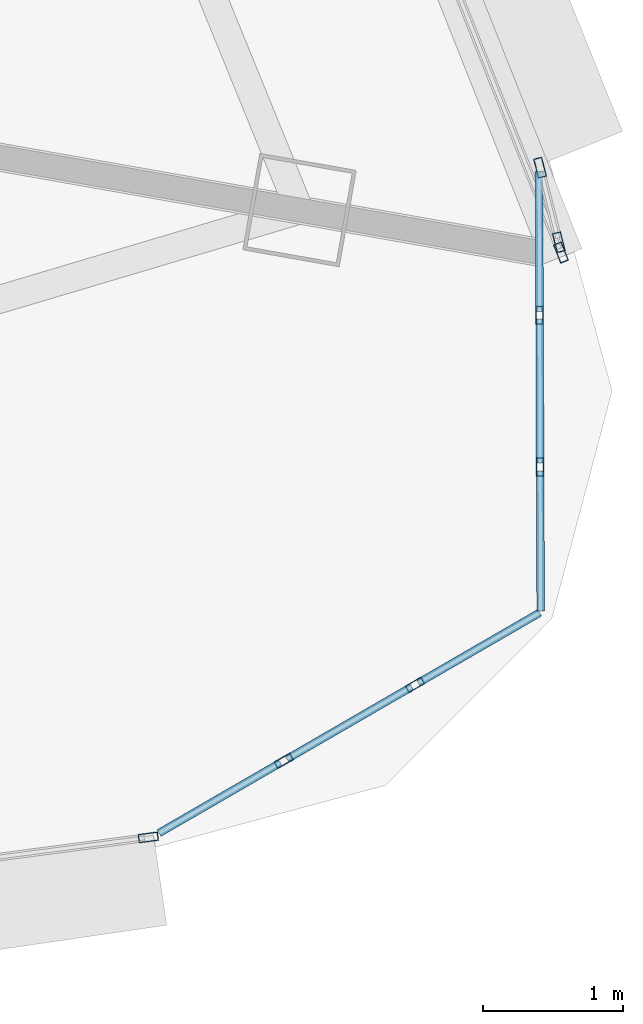
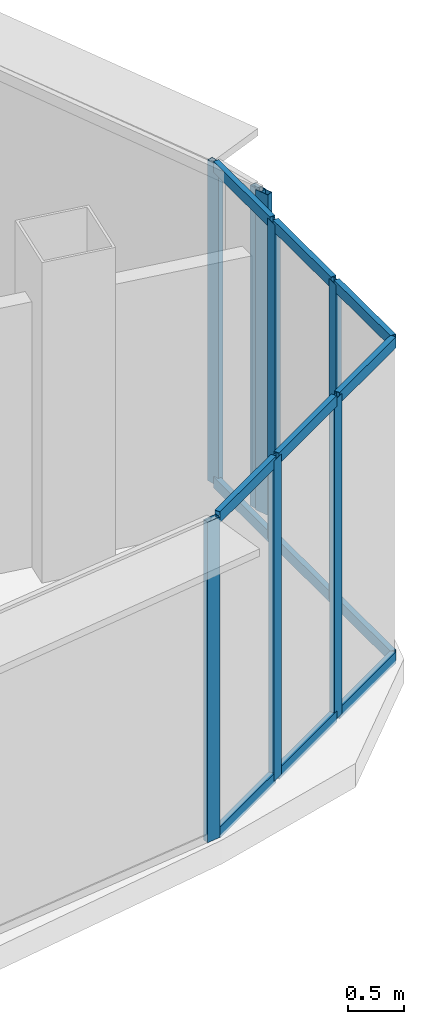
# One storey, part 12 of 29: 20 members, 5 elements without a shape of their own.
"""IFC4 building model written with IfcOpenShell, lengths in metres."""

from ifc_helpers import new_model, si_unit, direction, frame, origin, origin_2d, place, context, subcontext, project, spatial, hollow_rectangle, extrude, source, transform, mapped, material, layer, layer_set, material_profile, profile_set, type_object, element, aggregate, save


model = new_model("IFC4")

# Units and contexts
model_context = context("Model", 3, precision=1e-05, world=origin(), true_north=direction((0.0, 1.0)))
body_context = subcontext(model_context, "Body", "Model", "MODEL_VIEW")
ifc_project = project(units=[si_unit("LENGTHUNIT", "METRE"), si_unit("AREAUNIT", "SQUARE_METRE"), si_unit("VOLUMEUNIT", "CUBIC_METRE"), si_unit("PLANEANGLEUNIT", "RADIAN"), si_unit("MASSUNIT", "GRAM", prefix="KILO"), si_unit("THERMODYNAMICTEMPERATUREUNIT", "KELVIN"), si_unit("POWERUNIT", "WATT")], contexts=[model_context])

# Site, building, storey
site_placement = place(None, origin())
site = spatial("IfcSite", under=ifc_project, at=site_placement, CompositionType="ELEMENT")
building_placement = place(site_placement, origin())
building = spatial("IfcBuilding", under=site, at=building_placement, Name="Yunzhuo Pagoda Commons", CompositionType="ELEMENT")
storey_placement = place(building_placement, frame((0.0, 0.0, 359.260009765625)))
storey = spatial("IfcBuildingStorey", under=building, at=storey_placement, Name="L90", CompositionType="ELEMENT", Elevation=359.260009765625)

# Curtain wall, member
ifc_material = material(Name="Anodized aluminium 6063-T6", Category="aluminium")
ifc_layer_1 = layer(ifc_material, 0.139892578125)
ifc_layer_set_1 = layer_set([ifc_layer_1], Name="Anodized aluminium 6063-T6")
curtain_wall_type_1 = type_object("IfcCurtainWallType", Name="CW-HI High-Zone Ribbon Curtain Wall", PredefinedType="NOTDEFINED", material=ifc_layer_set_1)
curtain_wall_1_placement = place(storey_placement, origin())
curtain_wall_1 = element("IfcCurtainWall", 1, at=curtain_wall_1_placement, inside=storey, type_object=curtain_wall_type_1, Name="L90 curtain wall CW-L90-F1B5", PredefinedType="NOTDEFINED")
ifc_material_profile_1 = material_profile(ifc_material, hollow_rectangle(XDim=0.06005859375, YDim=0.139892578125, WallThickness=0.00341796875, at=origin_2d()), Name="Anodized aluminium 6063-T6")
ifc_profile_set_1 = profile_set([ifc_material_profile_1], Name="Anodized aluminium 6063-T6")
member_type_1 = type_object("IfcMemberType", Name="CW-HI-M Mullion RHS 140x60x3.5", PredefinedType="MULLION", material=ifc_profile_set_1)
shared_shape_1 = source(origin(), body_context, "Body", "SweptSolid", [
    extrude(hollow_rectangle(XDim=0.06005859375, YDim=0.139892578125, WallThickness=0.00341796875, at=origin_2d()), origin(), (0.0, 0.0, 1.0), 3.489990234375),
])
member_1_placement = place(storey_placement, frame((71.3896484375, 24.903076171875, 0.0), z_axis=(0.0, 0.0, 1.0), x_axis=(-0.130505551679, 0.991447578534, 0.0)))
member_1 = element("IfcMember", 2, at=member_1_placement, type_object=member_type_1, Name="CW mullion 2", PredefinedType="MULLION", context=body_context, shape_type="MappedRepresentation", body=[
    mapped(shared_shape_1, transform((0.0, 0.0, 0.0), scale=1.0)),
])
aggregate(curtain_wall_1, [member_1])

curtain_wall_2_placement = place(storey_placement, origin())
curtain_wall_2 = element("IfcCurtainWall", 3, at=curtain_wall_2_placement, inside=storey, type_object=curtain_wall_type_1, Name="L90 curtain wall CW-L90-F2B2", PredefinedType="NOTDEFINED")
member_2_placement = place(storey_placement, frame((74.337890625, 29.081787109375, 0.0), z_axis=(0.0, 0.0, 1.0), x_axis=(-0.929441197274, -0.368970270902, 0.0)))
member_2 = element("IfcMember", 4, at=member_2_placement, type_object=member_type_1, Name="CW mullion 1", PredefinedType="MULLION", context=body_context, shape_type="MappedRepresentation", body=[
    mapped(shared_shape_1, transform((0.0, 0.0, 0.0), scale=1.0)),
])
aggregate(curtain_wall_2, [member_2])

# Curtain wall, members
curtain_wall_3_placement = place(storey_placement, origin())
curtain_wall_3 = element("IfcCurtainWall", 5, at=curtain_wall_3_placement, inside=storey, type_object=curtain_wall_type_1, Name="L90 curtain wall CW-L90-F2B1", PredefinedType="NOTDEFINED")
member_3_placement = place(storey_placement, frame((74.188720703125, 29.6884765625, 0.0), z_axis=(0.0, 0.0, 1.0), x_axis=(0.969716189017, 0.244234544564, 0.0)))
member_3 = element("IfcMember", 6, at=member_3_placement, type_object=member_type_1, Name="CW mullion 1", PredefinedType="MULLION", context=body_context, shape_type="MappedRepresentation", body=[
    mapped(shared_shape_1, transform((0.0, 0.0, 0.0), scale=1.0)),
])
member_4_placement = place(storey_placement, frame((74.322998046875, 29.15576171875, 0.0), z_axis=(0.0, 0.0, 1.0), x_axis=(0.969716189017, 0.244234544564, 0.0)))
member_4 = element("IfcMember", 7, at=member_4_placement, type_object=member_type_1, Name="CW mullion 2", PredefinedType="MULLION", context=body_context, shape_type="MappedRepresentation", body=[
    mapped(shared_shape_1, transform((0.0, 0.0, 0.0), scale=1.0)),
])
aggregate(curtain_wall_3, [member_3, member_4])

ifc_layer_2 = layer(ifc_material, 0.1298828125)
ifc_layer_set_2 = layer_set([ifc_layer_2], Name="Anodized aluminium 6063-T6")
curtain_wall_type_2 = type_object("IfcCurtainWallType", Name="CW-VTX Rounded Corner Curtain Wall", PredefinedType="NOTDEFINED", material=ifc_layer_set_2)
curtain_wall_4_placement = place(storey_placement, origin())
curtain_wall_4 = element("IfcCurtainWall", 8, at=curtain_wall_4_placement, inside=storey, type_object=curtain_wall_type_2, Name="L90 curtain wall CW-L90-VTX2S1", PredefinedType="NOTDEFINED")
ifc_material_profile_2 = material_profile(ifc_material, hollow_rectangle(XDim=0.054931640625, YDim=0.1298828125, WallThickness=0.00341796875, at=origin_2d()), Name="Anodized aluminium 6063-T6")
ifc_profile_set_2 = profile_set([ifc_material_profile_2], Name="Anodized aluminium 6063-T6")
member_type_2 = type_object("IfcMemberType", Name="CW-VTX-M Mullion RHS 130x55x3.5", PredefinedType="MULLION", material=ifc_profile_set_2)
shared_shape_2 = source(origin(), body_context, "Body", "SweptSolid", [
    extrude(hollow_rectangle(XDim=0.054931640625, YDim=0.1298828125, WallThickness=0.00341796875, at=origin_2d()), origin(), (0.0, 0.0, 1.0), 3.489990234375),
])
member_5_placement = place(storey_placement, frame((72.357421875, 25.449951171875, 0.0), z_axis=(0.0, 0.0, 1.0), x_axis=(-0.501016871191, 0.865437516394, 0.0)))
member_5 = element("IfcMember", 9, at=member_5_placement, type_object=member_type_2, Name="CW mullion 2", PredefinedType="MULLION", context=body_context, shape_type="MappedRepresentation", body=[
    mapped(shared_shape_2, transform((0.0, 0.0, 0.0), scale=1.0)),
])
member_6_placement = place(storey_placement, frame((73.295166015625, 25.992919921875, 0.0), z_axis=(0.0, 0.0, 1.0), x_axis=(-0.501016871191, 0.865437516394, 0.0)))
member_6 = element("IfcMember", 10, at=member_6_placement, type_object=member_type_2, Name="CW mullion 3", PredefinedType="MULLION", context=body_context, shape_type="MappedRepresentation", body=[
    mapped(shared_shape_2, transform((0.0, 0.0, 0.0), scale=1.0)),
])

curtain_wall_5_placement = place(storey_placement, origin())
curtain_wall_5 = element("IfcCurtainWall", 11, at=curtain_wall_5_placement, inside=storey, type_object=curtain_wall_type_2, Name="L90 curtain wall CW-L90-VTX2S2", PredefinedType="NOTDEFINED")
member_7_placement = place(storey_placement, frame((74.189208984375, 27.550048828125, 0.0), z_axis=(0.0, 0.0, 1.0), x_axis=(-0.999993524845, -0.003598647958, 0.0)))
member_7 = element("IfcMember", 12, at=member_7_placement, type_object=member_type_2, Name="CW mullion 2", PredefinedType="MULLION", context=body_context, shape_type="MappedRepresentation", body=[
    mapped(shared_shape_2, transform((0.0, 0.0, 0.0), scale=1.0)),
])
member_8_placement = place(storey_placement, frame((74.185302734375, 28.6337890625, 0.0), z_axis=(0.0, 0.0, 1.0), x_axis=(-0.999993524845, -0.003598647958, 0.0)))
member_8 = element("IfcMember", 13, at=member_8_placement, type_object=member_type_2, Name="CW mullion 3", PredefinedType="MULLION", context=body_context, shape_type="MappedRepresentation", body=[
    mapped(shared_shape_2, transform((0.0, 0.0, 0.0), scale=1.0)),
])

# Member
ifc_material_profile_3 = material_profile(ifc_material, hollow_rectangle(XDim=0.054931640625, YDim=0.1201171875, WallThickness=0.00341796875, at=origin_2d()), Name="Anodized aluminium 6063-T6")
ifc_profile_set_3 = profile_set([ifc_material_profile_3], Name="Anodized aluminium 6063-T6")
member_type_3 = type_object("IfcMemberType", Name="CW-VTX-T Transom RHS 120x55x3.5", PredefinedType="USERDEFINED", material=ifc_profile_set_3)
shared_shape_3 = source(origin(), body_context, "Body", "SweptSolid", [
    extrude(hollow_rectangle(XDim=0.054931640625, YDim=0.1201171875, WallThickness=0.00341796875, at=origin_2d()), origin(), (0.0, 0.0, 1.0), 1.001220703125),
])
member_9_placement = place(storey_placement, frame((71.467041015625, 24.9345703125, 0.027587890625), z_axis=(0.865498628265, 0.500911294014, 0.0), x_axis=(-0.500911294014, 0.865498628265, 0.0)))
member_9 = element("IfcMember", 14, at=member_9_placement, type_object=member_type_3, Name="CW transom 1.1", ObjectType="TRANSOM", PredefinedType="USERDEFINED", context=body_context, shape_type="MappedRepresentation", body=[
    mapped(shared_shape_3, transform((0.0, 0.0, 0.0), scale=1.0)),
])

member_10_placement = place(storey_placement, frame((71.467041015625, 24.9345703125, 3.46240234375), z_axis=(0.865498628265, 0.500911294014, 0.0), x_axis=(-0.500911294014, 0.865498628265, 0.0)))
member_10 = element("IfcMember", 15, at=member_10_placement, type_object=member_type_3, Name="CW transom 1.2", ObjectType="TRANSOM", PredefinedType="USERDEFINED", context=body_context, shape_type="MappedRepresentation", body=[
    mapped(shared_shape_3, transform((0.0, 0.0, 0.0), scale=1.0)),
])

member_11_placement = place(storey_placement, frame((73.319091796875, 26.006591796875, 0.027587890625), z_axis=(0.865392894497, 0.501093941446, 0.0), x_axis=(-0.501093941446, 0.865392894497, 0.0)))
member_11 = element("IfcMember", 16, at=member_11_placement, type_object=member_type_3, Name="CW transom 3.1", ObjectType="TRANSOM", PredefinedType="USERDEFINED", context=body_context, shape_type="MappedRepresentation", body=[
    mapped(shared_shape_3, transform((0.0, 0.0, 0.0), scale=1.0)),
])

member_12_placement = place(storey_placement, frame((73.319091796875, 26.006591796875, 3.46240234375), z_axis=(0.865392894497, 0.501093941446, 0.0), x_axis=(-0.501093941446, 0.865392894497, 0.0)))
member_12 = element("IfcMember", 17, at=member_12_placement, type_object=member_type_3, Name="CW transom 3.2", ObjectType="TRANSOM", PredefinedType="USERDEFINED", context=body_context, shape_type="MappedRepresentation", body=[
    mapped(shared_shape_3, transform((0.0, 0.0, 0.0), scale=1.0)),
])

member_13_placement = place(storey_placement, frame((74.193115234375, 26.521240234375, 0.027587890625), z_axis=(-0.003657620011, 0.999993310886, 0.0), x_axis=(-0.999993310886, -0.003657620011, 0.0)))
member_13 = element("IfcMember", 18, at=member_13_placement, type_object=member_type_3, Name="CW transom 1.1", ObjectType="TRANSOM", PredefinedType="USERDEFINED", context=body_context, shape_type="MappedRepresentation", body=[
    mapped(shared_shape_3, transform((0.0, 0.0, 0.0), scale=1.0)),
])

member_14_placement = place(storey_placement, frame((74.193115234375, 26.521240234375, 3.46240234375), z_axis=(-0.003657620011, 0.999993310886, 0.0), x_axis=(-0.999993310886, -0.003657620011, 0.0)))
member_14 = element("IfcMember", 19, at=member_14_placement, type_object=member_type_3, Name="CW transom 1.2", ObjectType="TRANSOM", PredefinedType="USERDEFINED", context=body_context, shape_type="MappedRepresentation", body=[
    mapped(shared_shape_3, transform((0.0, 0.0, 0.0), scale=1.0)),
])

member_15_placement = place(storey_placement, frame((74.185302734375, 28.661376953125, 0.027587890625), z_axis=(-0.003657620011, 0.999993310886, 0.0), x_axis=(-0.999993310886, -0.003657620011, 0.0)))
member_15 = element("IfcMember", 20, at=member_15_placement, type_object=member_type_3, Name="CW transom 3.1", ObjectType="TRANSOM", PredefinedType="USERDEFINED", context=body_context, shape_type="MappedRepresentation", body=[
    mapped(shared_shape_3, transform((0.0, 0.0, 0.0), scale=1.0)),
])

member_16_placement = place(storey_placement, frame((74.185302734375, 28.661376953125, 3.46240234375), z_axis=(-0.003657620011, 0.999993310886, 0.0), x_axis=(-0.999993310886, -0.003657620011, 0.0)))
member_16 = element("IfcMember", 21, at=member_16_placement, type_object=member_type_3, Name="CW transom 3.2", ObjectType="TRANSOM", PredefinedType="USERDEFINED", context=body_context, shape_type="MappedRepresentation", body=[
    mapped(shared_shape_3, transform((0.0, 0.0, 0.0), scale=1.0)),
])

shared_shape_4 = source(origin(), body_context, "Body", "SweptSolid", [
    extrude(hollow_rectangle(XDim=0.054931640625, YDim=0.1201171875, WallThickness=0.00341796875, at=origin_2d()), origin(), (0.0, 0.0, 1.0), 1.028564453125),
])
member_17_placement = place(storey_placement, frame((72.38134765625, 25.463623046875, 0.027587890625), z_axis=(0.865410034323, 0.501064339675, 0.0), x_axis=(-0.501064339675, 0.865410034323, 0.0)))
member_17 = element("IfcMember", 22, at=member_17_placement, type_object=member_type_3, Name="CW transom 2.1", ObjectType="TRANSOM", PredefinedType="USERDEFINED", context=body_context, shape_type="MappedRepresentation", body=[
    mapped(shared_shape_4, transform((0.0, 0.0, 0.0), scale=1.0)),
])

member_18_placement = place(storey_placement, frame((72.38134765625, 25.463623046875, 3.46240234375), z_axis=(0.865410034323, 0.501064339675, 0.0), x_axis=(-0.501064339675, 0.865410034323, 0.0)))
member_18 = element("IfcMember", 23, at=member_18_placement, type_object=member_type_3, Name="CW transom 2.2", ObjectType="TRANSOM", PredefinedType="USERDEFINED", context=body_context, shape_type="MappedRepresentation", body=[
    mapped(shared_shape_4, transform((0.0, 0.0, 0.0), scale=1.0)),
])

aggregate(curtain_wall_4, [member_5, member_6, member_9, member_10, member_17, member_18, member_11, member_12])

member_19_placement = place(storey_placement, frame((74.189208984375, 27.57763671875, 0.027587890625), z_axis=(-0.003560385694, 0.999993661807, 0.0), x_axis=(-0.999993661807, -0.003560385694, 0.0)))
member_19 = element("IfcMember", 24, at=member_19_placement, type_object=member_type_3, Name="CW transom 2.1", ObjectType="TRANSOM", PredefinedType="USERDEFINED", context=body_context, shape_type="MappedRepresentation", body=[
    mapped(shared_shape_4, transform((0.0, 0.0, 0.0), scale=1.0)),
])

member_20_placement = place(storey_placement, frame((74.189208984375, 27.57763671875, 3.46240234375), z_axis=(-0.003560385694, 0.999993661807, 0.0), x_axis=(-0.999993661807, -0.003560385694, 0.0)))
member_20 = element("IfcMember", 25, at=member_20_placement, type_object=member_type_3, Name="CW transom 2.2", ObjectType="TRANSOM", PredefinedType="USERDEFINED", context=body_context, shape_type="MappedRepresentation", body=[
    mapped(shared_shape_4, transform((0.0, 0.0, 0.0), scale=1.0)),
])

aggregate(curtain_wall_5, [member_7, member_8, member_13, member_14, member_19, member_20, member_15, member_16])

save(model, "model.ifc")
